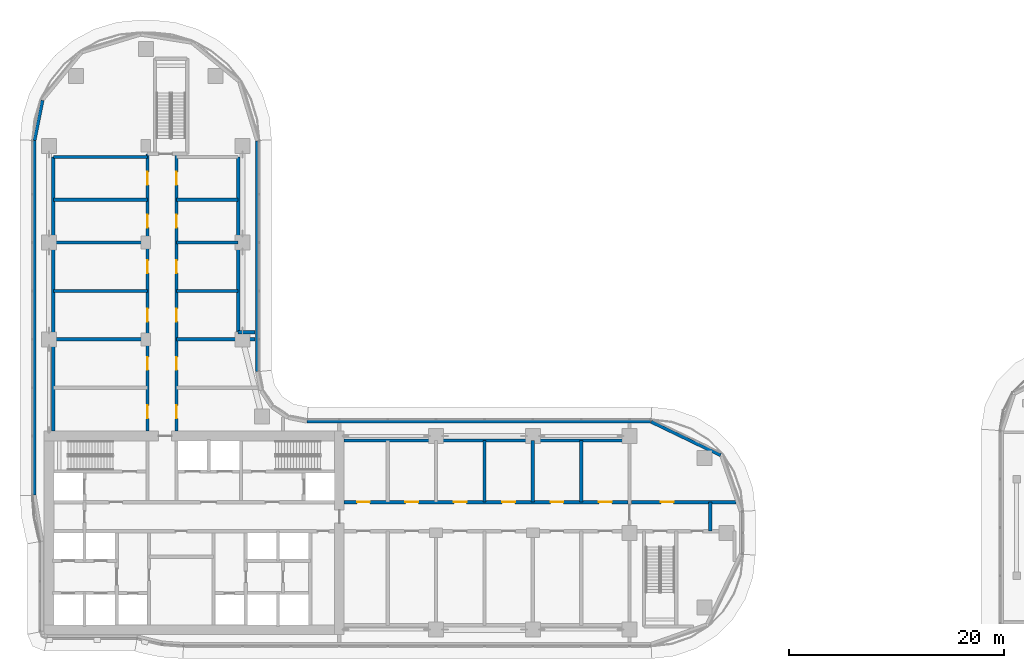
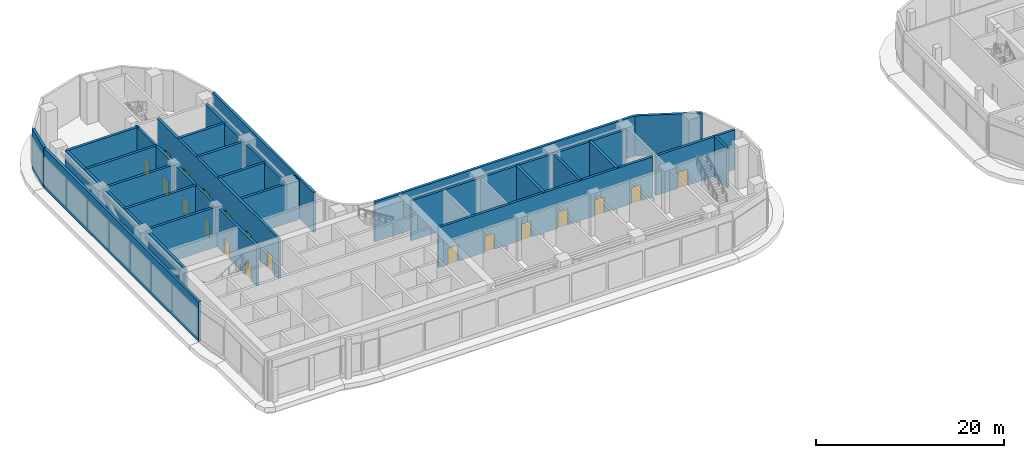
# One storey, part 5 of 23: 26 walls, 19 doors, 19 openings.
"""IFC4 building model written with IfcOpenShell, lengths in metres."""

from ifc_helpers import new_model, si_unit, direction, frame, frame_2d, origin, place, context, subcontext, project, spatial, rectangle, extrude, material, layer, layer_set, type_object, element, fill, save


model = new_model("IFC4")

# Units and contexts
model_context = context("Model", 3, precision=1e-05, world=origin(), true_north=direction((0.0, 1.0)))
body_context = subcontext(model_context, "Body", "Model", "MODEL_VIEW")
ifc_project = project(units=[si_unit("LENGTHUNIT", "METRE"), si_unit("AREAUNIT", "SQUARE_METRE"), si_unit("VOLUMEUNIT", "CUBIC_METRE"), si_unit("PLANEANGLEUNIT", "RADIAN"), si_unit("MASSUNIT", "GRAM", prefix="KILO")], contexts=[model_context])

# Site, building, storey
site_placement = place(None, origin())
site = spatial("IfcSite", under=ifc_project, at=site_placement, CompositionType="ELEMENT")
building_placement = place(site_placement, origin())
building = spatial("IfcBuilding", under=site, at=building_placement, Name="Ogive Portal Towers", CompositionType="ELEMENT")
storey_placement = place(building_placement, frame((0.0, 0.0, 81.60009765625)))
storey = spatial("IfcBuildingStorey", under=building, at=storey_placement, Name="L19", CompositionType="ELEMENT", Elevation=81.60009765625)

# Walls
ifc_material_1 = material(Name="Limestone cladding on lightweight block wall", Category="masonry")
ifc_layer_1 = layer(ifc_material_1, 0.300048828125)
ifc_layer_set_1 = layer_set([ifc_layer_1], Name="EXTERNAL WALL 300 STONE")
wall_type_1 = type_object("IfcWallType", Name="EXTERNAL WALL 300 STONE", PredefinedType="SOLIDWALL", material=ifc_layer_set_1)
wall_1_placement = place(storey_placement, frame((93.968505859375, 37.718505859375, 0.0), z_axis=(0.0, 0.0, 1.0), x_axis=(-0.90096968593, 0.433882040461, 0.0)))
element("IfcWall", 1, at=wall_1_placement, inside=storey, type_object=wall_type_1, Name="A:L19:f11:r0:wall", PredefinedType="SOLIDWALL", context=body_context, shape_type="SweptSolid", body=[
    extrude(rectangle(XDim=7.183349609375, YDim=0.300048828125, at=frame_2d((3.591796875, 0.0))), origin(), (0.0, 0.0, 1.0), 5.199951171875),
])
wall_2_placement = place(storey_placement, frame((87.431640625, 40.85009765625, 0.0), z_axis=(0.0, 0.0, 1.0), x_axis=(-1.0, 0.0, 0.0)))
element("IfcWall", 2, at=wall_2_placement, inside=storey, type_object=wall_type_1, Name="A:L19:f12:r0:wall", PredefinedType="SOLIDWALL", context=body_context, shape_type="SweptSolid", body=[
    extrude(rectangle(XDim=31.931640625, YDim=0.300048828125, at=frame_2d((15.9658203125, 0.0))), origin(), (0.0, 0.0, 1.0), 5.199951171875),
])
wall_3_placement = place(storey_placement, frame((50.85009765625, 45.5, 0.0), z_axis=(0.0, 0.0, 1.0), x_axis=(0.0, 1.0, 0.0)))
element("IfcWall", 3, at=wall_3_placement, inside=storey, type_object=wall_type_1, Name="A:L19:f17:r0:wall", PredefinedType="SOLIDWALL", context=body_context, shape_type="SweptSolid", body=[
    extrude(rectangle(XDim=21.45556640625, YDim=0.300048828125, at=frame_2d((10.727783203125, 0.0))), origin(), (0.0, 0.0, 1.0), 5.199951171875),
])
wall_4_placement = place(storey_placement, frame((30.8935546875, 70.723876953125, 0.0), z_axis=(0.0, 0.0, 1.0), x_axis=(-0.195077379777, -0.980787854686, 0.0)))
element("IfcWall", 4, at=wall_4_placement, inside=storey, type_object=wall_type_1, Name="A:L19:f23:r0:wall", PredefinedType="SOLIDWALL", context=body_context, shape_type="SweptSolid", body=[
    extrude(rectangle(XDim=3.797119140625, YDim=0.300048828125, at=frame_2d((1.8984375, 0.0))), origin(), (0.0, 0.0, 1.0), 5.199951171875),
])
wall_5_placement = place(storey_placement, frame((30.14990234375, 66.970458984375, 0.0), z_axis=(0.0, 0.0, 1.0), x_axis=(0.0, -1.0, 0.0)))
element("IfcWall", 5, at=wall_5_placement, inside=storey, type_object=wall_type_1, Name="A:L19:f24:r0:wall", PredefinedType="SOLIDWALL", context=body_context, shape_type="SweptSolid", body=[
    extrude(rectangle(XDim=32.9462890625, YDim=0.300048828125, at=frame_2d((16.47314453125, 0.0))), origin(), (0.0, 0.0, 1.0), 5.199951171875),
])

# Wall, openings, doors
ifc_material_2 = material(Name="Gypsum board partition on steel studs", Category="steel")
ifc_layer_2 = layer(ifc_material_2, 0.300048828125)
ifc_layer_set_2 = layer_set([ifc_layer_2], Name="WT-PART-300-EI 120")
wall_type_2 = type_object("IfcWallType", Name="WT-PART-300-EI 120", PredefinedType="PARTITIONING", material=ifc_layer_set_2)
wall_6_placement = place(storey_placement, frame((58.949951171875, 33.35009765625, 0.0), z_axis=(0.0, 0.0, 1.0), x_axis=(1.0, 0.0, 0.0)))
wall_6 = element("IfcWall", 6, at=wall_6_placement, inside=storey, type_object=wall_type_2, Name="Wall L19:w005", PredefinedType="PARTITIONING", context=body_context, shape_type="SweptSolid", body=[
    extrude(rectangle(XDim=26.380126953125, YDim=0.300048828125, at=frame_2d((13.18994140625, 0.0))), origin(), (0.0, 0.0, 1.0), 5.199951171875),
])
opening_1_placement = place(wall_6_placement, frame((1.199951171875, 0.0, 0.0)))
opening_1 = element("IfcOpeningElement", 7, at=opening_1_placement, cuts=wall_6, Name="Opening D06-025", PredefinedType="OPENING", context=body_context, shape_type="SweptSolid", body=[
    extrude(rectangle(XDim=1.199951171875, YDim=2.10009765625, at=frame_2d((0.60009765625, 1.050048828125))), frame((0.0, 0.16015625, 0.0), z_axis=(0.0, -1.0, 0.0), x_axis=(1.0, 0.0, 0.0)), (0.0, 0.0, 1.0), 0.320068359375),
])
opening_2_placement = place(wall_6_placement, frame((5.699951171875, 0.0, 0.0)))
opening_2 = element("IfcOpeningElement", 8, at=opening_2_placement, cuts=wall_6, Name="Opening D06-026", PredefinedType="OPENING", context=body_context, shape_type="SweptSolid", body=[
    extrude(rectangle(XDim=1.199951171875, YDim=2.10009765625, at=frame_2d((0.60009765625, 1.050048828125))), frame((0.0, 0.16015625, 0.0), z_axis=(0.0, -1.0, 0.0), x_axis=(1.0, 0.0, 0.0)), (0.0, 0.0, 1.0), 0.320068359375),
])
opening_3_placement = place(wall_6_placement, frame((10.199951171875, 0.0, 0.0)))
opening_3 = element("IfcOpeningElement", 9, at=opening_3_placement, cuts=wall_6, Name="Opening D06-029", PredefinedType="OPENING", context=body_context, shape_type="SweptSolid", body=[
    extrude(rectangle(XDim=1.199951171875, YDim=2.10009765625, at=frame_2d((0.60009765625, 1.050048828125))), frame((0.0, 0.16015625, 0.0), z_axis=(0.0, -1.0, 0.0), x_axis=(1.0, 0.0, 0.0)), (0.0, 0.0, 1.0), 0.320068359375),
])
opening_4_placement = place(wall_6_placement, frame((14.699951171875, 0.0, 0.0)))
opening_4 = element("IfcOpeningElement", 10, at=opening_4_placement, cuts=wall_6, Name="Opening D06-030", PredefinedType="OPENING", context=body_context, shape_type="SweptSolid", body=[
    extrude(rectangle(XDim=1.199951171875, YDim=2.10009765625, at=frame_2d((0.60009765625, 1.050048828125))), frame((0.0, 0.16015625, 0.0), z_axis=(0.0, -1.0, 0.0), x_axis=(1.0, 0.0, 0.0)), (0.0, 0.0, 1.0), 0.320068359375),
])
opening_5_placement = place(wall_6_placement, frame((19.199951171875, 0.0, 0.0)))
opening_5 = element("IfcOpeningElement", 11, at=opening_5_placement, cuts=wall_6, Name="Opening D06-033", PredefinedType="OPENING", context=body_context, shape_type="SweptSolid", body=[
    extrude(rectangle(XDim=1.199951171875, YDim=2.10009765625, at=frame_2d((0.60009765625, 1.050048828125))), frame((0.0, 0.16015625, 0.0), z_axis=(0.0, -1.0, 0.0), x_axis=(1.0, 0.0, 0.0)), (0.0, 0.0, 1.0), 0.320068359375),
])
opening_6_placement = place(wall_6_placement, frame((23.699951171875, 0.0, 0.0)))
opening_6 = element("IfcOpeningElement", 12, at=opening_6_placement, cuts=wall_6, Name="Opening D06-034", PredefinedType="OPENING", context=body_context, shape_type="SweptSolid", body=[
    extrude(rectangle(XDim=1.199951171875, YDim=2.10009765625, at=frame_2d((0.60009765625, 1.050048828125))), frame((0.0, 0.16015625, 0.0), z_axis=(0.0, -1.0, 0.0), x_axis=(1.0, 0.0, 0.0)), (0.0, 0.0, 1.0), 0.320068359375),
])
ifc_material_3 = material(Name="Steel fire door", Category="steel")
door_type_1 = type_object("IfcDoorType", Name="DT-ENTRY-1200x2100-FD90S", OperationType="SINGLE_SWING_LEFT", PredefinedType="DOOR", material=ifc_material_3)
door_1_placement = place(opening_1_placement, origin())
door_1 = element("IfcDoor", 13, at=door_1_placement, inside=storey, type_object=door_type_1, Name="Door D06-025", OperationType="SINGLE_SWING_LEFT", OverallHeight=2.10009765625, OverallWidth=1.199951171875, PredefinedType="DOOR", context=body_context, shape_type="SweptSolid", body=[
    extrude(rectangle(XDim=1.199951171875, YDim=2.10009765625, at=frame_2d((0.60009765625, 1.050048828125))), frame((0.0, 0.02490234375, 0.0), z_axis=(0.0, -1.0, 0.0), x_axis=(1.0, 0.0, 0.0)), (0.0, 0.0, 1.0), 0.050048828125),
])
fill(opening_1, door_1)
door_2_placement = place(opening_2_placement, origin())
door_2 = element("IfcDoor", 14, at=door_2_placement, inside=storey, type_object=door_type_1, Name="Door D06-026", OperationType="SINGLE_SWING_LEFT", OverallHeight=2.10009765625, OverallWidth=1.199951171875, PredefinedType="DOOR", context=body_context, shape_type="SweptSolid", body=[
    extrude(rectangle(XDim=1.199951171875, YDim=2.10009765625, at=frame_2d((0.60009765625, 1.050048828125))), frame((0.0, 0.02490234375, 0.0), z_axis=(0.0, -1.0, 0.0), x_axis=(1.0, 0.0, 0.0)), (0.0, 0.0, 1.0), 0.050048828125),
])
fill(opening_2, door_2)
door_3_placement = place(opening_3_placement, origin())
door_3 = element("IfcDoor", 15, at=door_3_placement, inside=storey, type_object=door_type_1, Name="Door D06-029", OperationType="SINGLE_SWING_LEFT", OverallHeight=2.10009765625, OverallWidth=1.199951171875, PredefinedType="DOOR", context=body_context, shape_type="SweptSolid", body=[
    extrude(rectangle(XDim=1.199951171875, YDim=2.10009765625, at=frame_2d((0.60009765625, 1.050048828125))), frame((0.0, 0.02490234375, 0.0), z_axis=(0.0, -1.0, 0.0), x_axis=(1.0, 0.0, 0.0)), (0.0, 0.0, 1.0), 0.050048828125),
])
fill(opening_3, door_3)
door_4_placement = place(opening_4_placement, origin())
door_4 = element("IfcDoor", 16, at=door_4_placement, inside=storey, type_object=door_type_1, Name="Door D06-030", OperationType="SINGLE_SWING_RIGHT", OverallHeight=2.10009765625, OverallWidth=1.199951171875, PredefinedType="DOOR", context=body_context, shape_type="SweptSolid", body=[
    extrude(rectangle(XDim=1.199951171875, YDim=2.10009765625, at=frame_2d((0.60009765625, 1.050048828125))), frame((0.0, 0.02490234375, 0.0), z_axis=(0.0, -1.0, 0.0), x_axis=(1.0, 0.0, 0.0)), (0.0, 0.0, 1.0), 0.050048828125),
])
fill(opening_4, door_4)
door_5_placement = place(opening_5_placement, origin())
door_5 = element("IfcDoor", 17, at=door_5_placement, inside=storey, type_object=door_type_1, Name="Door D06-033", OperationType="SINGLE_SWING_RIGHT", OverallHeight=2.10009765625, OverallWidth=1.199951171875, PredefinedType="DOOR", context=body_context, shape_type="SweptSolid", body=[
    extrude(rectangle(XDim=1.199951171875, YDim=2.10009765625, at=frame_2d((0.60009765625, 1.050048828125))), frame((0.0, 0.02490234375, 0.0), z_axis=(0.0, -1.0, 0.0), x_axis=(1.0, 0.0, 0.0)), (0.0, 0.0, 1.0), 0.050048828125),
])
fill(opening_5, door_5)
door_6_placement = place(opening_6_placement, origin())
door_6 = element("IfcDoor", 18, at=door_6_placement, inside=storey, type_object=door_type_1, Name="Door D06-034", OperationType="SINGLE_SWING_LEFT", OverallHeight=2.10009765625, OverallWidth=1.199951171875, PredefinedType="DOOR", context=body_context, shape_type="SweptSolid", body=[
    extrude(rectangle(XDim=1.199951171875, YDim=2.10009765625, at=frame_2d((0.60009765625, 1.050048828125))), frame((0.0, 0.02490234375, 0.0), z_axis=(0.0, -1.0, 0.0), x_axis=(1.0, 0.0, 0.0)), (0.0, 0.0, 1.0), 0.050048828125),
])
fill(opening_6, door_6)

# Wall, opening, door
wall_7_placement = place(storey_placement, frame((85.669921875, 33.35009765625, 0.0), z_axis=(0.0, 0.0, 1.0), x_axis=(1.0, 0.0, 0.0)))
wall_7 = element("IfcWall", 19, at=wall_7_placement, inside=storey, type_object=wall_type_2, Name="Wall L19:w006", PredefinedType="PARTITIONING", context=body_context, shape_type="SweptSolid", body=[
    extrude(rectangle(XDim=9.705078125, YDim=0.300048828125, at=frame_2d((4.8525390625, 0.0))), origin(), (0.0, 0.0, 1.0), 5.14990234375),
])
opening_7_placement = place(wall_7_placement, frame((2.72998046875, 0.0, 0.0)))
opening_7 = element("IfcOpeningElement", 20, at=opening_7_placement, cuts=wall_7, Name="Opening D06-050", PredefinedType="OPENING", context=body_context, shape_type="SweptSolid", body=[
    extrude(rectangle(XDim=1.199951171875, YDim=2.10009765625, at=frame_2d((0.60009765625, 1.050048828125))), frame((0.0, 0.16015625, 0.0), z_axis=(0.0, -1.0, 0.0), x_axis=(1.0, 0.0, 0.0)), (0.0, 0.0, 1.0), 0.320068359375),
])
door_type_2 = type_object("IfcDoorType", Name="DT-STAIR-1200x2100-FD90S", OperationType="SINGLE_SWING_LEFT", PredefinedType="DOOR", material=ifc_material_3)
door_7_placement = place(opening_7_placement, origin())
door_7 = element("IfcDoor", 21, at=door_7_placement, inside=storey, type_object=door_type_2, Name="Door D06-050", OperationType="SINGLE_SWING_LEFT", OverallHeight=2.10009765625, OverallWidth=1.199951171875, PredefinedType="DOOR", context=body_context, shape_type="SweptSolid", body=[
    extrude(rectangle(XDim=1.199951171875, YDim=2.10009765625, at=frame_2d((0.60009765625, 1.050048828125))), frame((0.0, 0.02490234375, 0.0), z_axis=(0.0, -1.0, 0.0), x_axis=(1.0, 0.0, 0.0)), (0.0, 0.0, 1.0), 0.050048828125),
])
fill(opening_7, door_7)

# Walls
wall_8_placement = place(storey_placement, frame((93.0, 30.64990234375, 0.0), z_axis=(0.0, 0.0, 1.0), x_axis=(0.0, 1.0, 0.0)))
element("IfcWall", 22, at=wall_8_placement, inside=storey, type_object=wall_type_2, Name="Wall L19:w042", PredefinedType="PARTITIONING", context=body_context, shape_type="SweptSolid", body=[
    extrude(rectangle(XDim=2.7001953125, YDim=0.300048828125, at=frame_2d((1.35009765625, 0.0))), origin(), (0.0, 0.0, 1.0), 5.199951171875),
])
ifc_layer_3 = layer(ifc_material_2, 0.300048828125)
ifc_layer_set_3 = layer_set([ifc_layer_3], Name="WT-PART-300-EI 60")
wall_type_3 = type_object("IfcWallType", Name="WT-PART-300-EI 60", PredefinedType="PARTITIONING", material=ifc_layer_set_3)
wall_9_placement = place(storey_placement, frame((58.949951171875, 39.10009765625, 0.0), z_axis=(0.0, 0.0, 1.0), x_axis=(1.0, 0.0, 0.0)))
element("IfcWall", 23, at=wall_9_placement, inside=storey, type_object=wall_type_3, Name="Wall L19:w007", PredefinedType="PARTITIONING", context=body_context, shape_type="SweptSolid", body=[
    extrude(rectangle(XDim=26.380126953125, YDim=0.300048828125, at=frame_2d((13.18994140625, 0.0))), origin(), (0.0, 0.0, 1.0), 5.199951171875),
])
wall_10_placement = place(storey_placement, frame((31.89990234375, 48.5, 0.0), z_axis=(0.0, 0.0, 1.0), x_axis=(1.0, 0.0, 0.0)))
element("IfcWall", 24, at=wall_10_placement, inside=storey, type_object=wall_type_3, Name="Wall L19:w010", PredefinedType="PARTITIONING", context=body_context, shape_type="SweptSolid", body=[
    extrude(rectangle(XDim=8.75, YDim=0.300048828125, at=frame_2d((4.375, 0.0))), origin(), (0.0, 0.0, 1.0), 5.199951171875),
])
wall_11_placement = place(storey_placement, frame((43.35009765625, 48.5, 0.0), z_axis=(0.0, 0.0, 1.0), x_axis=(1.0, 0.0, 0.0)))
element("IfcWall", 25, at=wall_11_placement, inside=storey, type_object=wall_type_3, Name="Wall L19:w011", PredefinedType="PARTITIONING", context=body_context, shape_type="SweptSolid", body=[
    extrude(rectangle(XDim=7.2998046875, YDim=0.300048828125, at=frame_2d((3.64990234375, 0.0))), origin(), (0.0, 0.0, 1.0), 5.14990234375),
])
wall_12_placement = place(storey_placement, frame((49.10009765625, 49.14990234375, 0.0), z_axis=(0.0, 0.0, 1.0), x_axis=(1.0, 0.0, 0.0)))
element("IfcWall", 26, at=wall_12_placement, inside=storey, type_object=wall_type_3, Name="Wall L19:w012", PredefinedType="PARTITIONING", context=body_context, shape_type="SweptSolid", body=[
    extrude(rectangle(XDim=1.5498046875, YDim=0.300048828125, at=frame_2d((0.77490234375, 0.0))), origin(), (0.0, 0.0, 1.0), 5.14990234375),
])
wall_13_placement = place(storey_placement, frame((31.89990234375, 53.0, 0.0), z_axis=(0.0, 0.0, 1.0), x_axis=(1.0, 0.0, 0.0)))
element("IfcWall", 27, at=wall_13_placement, inside=storey, type_object=wall_type_3, Name="Wall L19:w013", PredefinedType="PARTITIONING", context=body_context, shape_type="SweptSolid", body=[
    extrude(rectangle(XDim=8.75, YDim=0.300048828125, at=frame_2d((4.375, 0.0))), origin(), (0.0, 0.0, 1.0), 5.199951171875),
])
wall_14_placement = place(storey_placement, frame((43.35009765625, 53.0, 0.0), z_axis=(0.0, 0.0, 1.0), x_axis=(1.0, 0.0, 0.0)))
element("IfcWall", 28, at=wall_14_placement, inside=storey, type_object=wall_type_3, Name="Wall L19:w014", PredefinedType="PARTITIONING", context=body_context, shape_type="SweptSolid", body=[
    extrude(rectangle(XDim=5.75, YDim=0.300048828125, at=frame_2d((2.875, 0.0))), origin(), (0.0, 0.0, 1.0), 5.199951171875),
])
wall_15_placement = place(storey_placement, frame((31.89990234375, 57.5, 0.0), z_axis=(0.0, 0.0, 1.0), x_axis=(1.0, 0.0, 0.0)))
element("IfcWall", 29, at=wall_15_placement, inside=storey, type_object=wall_type_3, Name="Wall L19:w015", PredefinedType="PARTITIONING", context=body_context, shape_type="SweptSolid", body=[
    extrude(rectangle(XDim=8.75, YDim=0.300048828125, at=frame_2d((4.375, 0.0))), origin(), (0.0, 0.0, 1.0), 5.199951171875),
])
wall_16_placement = place(storey_placement, frame((43.35009765625, 57.5, 0.0), z_axis=(0.0, 0.0, 1.0), x_axis=(1.0, 0.0, 0.0)))
element("IfcWall", 30, at=wall_16_placement, inside=storey, type_object=wall_type_3, Name="Wall L19:w016", PredefinedType="PARTITIONING", context=body_context, shape_type="SweptSolid", body=[
    extrude(rectangle(XDim=5.75, YDim=0.300048828125, at=frame_2d((2.875, 0.0))), origin(), (0.0, 0.0, 1.0), 5.199951171875),
])
wall_17_placement = place(storey_placement, frame((31.89990234375, 61.47509765625, 0.0), z_axis=(0.0, 0.0, 1.0), x_axis=(1.0, 0.0, 0.0)))
element("IfcWall", 31, at=wall_17_placement, inside=storey, type_object=wall_type_3, Name="Wall L19:w017", PredefinedType="PARTITIONING", context=body_context, shape_type="SweptSolid", body=[
    extrude(rectangle(XDim=8.75, YDim=0.300048828125, at=frame_2d((4.375, 0.0))), origin(), (0.0, 0.0, 1.0), 5.199951171875),
])
wall_18_placement = place(storey_placement, frame((43.35009765625, 61.47509765625, 0.0), z_axis=(0.0, 0.0, 1.0), x_axis=(1.0, 0.0, 0.0)))
element("IfcWall", 32, at=wall_18_placement, inside=storey, type_object=wall_type_3, Name="Wall L19:w018", PredefinedType="PARTITIONING", context=body_context, shape_type="SweptSolid", body=[
    extrude(rectangle(XDim=5.75, YDim=0.300048828125, at=frame_2d((2.875, 0.0))), origin(), (0.0, 0.0, 1.0), 5.199951171875),
])
wall_19_placement = place(storey_placement, frame((31.89990234375, 65.449951171875, 0.0), z_axis=(0.0, 0.0, 1.0), x_axis=(1.0, 0.0, 0.0)))
element("IfcWall", 33, at=wall_19_placement, inside=storey, type_object=wall_type_3, Name="Wall L19:w019", PredefinedType="PARTITIONING", context=body_context, shape_type="SweptSolid", body=[
    extrude(rectangle(XDim=8.75, YDim=0.300048828125, at=frame_2d((4.375, 0.0))), origin(), (0.0, 0.0, 1.0), 5.199951171875),
])
wall_20_placement = place(storey_placement, frame((31.89990234375, 39.949951171875, 0.0), z_axis=(0.0, 0.0, 1.0), x_axis=(0.0, 1.0, 0.0)))
element("IfcWall", 34, at=wall_20_placement, inside=storey, type_object=wall_type_3, Name="Wall L19:w023", PredefinedType="PARTITIONING", context=body_context, shape_type="SweptSolid", body=[
    extrude(rectangle(XDim=25.5, YDim=0.300048828125, at=frame_2d((12.75, 0.0))), origin(), (0.0, 0.0, 1.0), 5.199951171875),
])

# Wall, openings, doors
wall_21_placement = place(storey_placement, frame((40.64990234375, 39.949951171875, 0.0), z_axis=(0.0, 0.0, 1.0), x_axis=(0.0, 1.0, 0.0)))
wall_21 = element("IfcWall", 35, at=wall_21_placement, inside=storey, type_object=wall_type_3, Name="Wall L19:w024", PredefinedType="PARTITIONING", context=body_context, shape_type="SweptSolid", body=[
    extrude(rectangle(XDim=25.800048828125, YDim=0.300048828125, at=frame_2d((12.89990234375, 0.0))), origin(), (0.0, 0.0, 1.0), 5.199951171875),
])
opening_8_placement = place(wall_21_placement, frame((1.199951171875, 0.0, 0.0)))
opening_8 = element("IfcOpeningElement", 36, at=opening_8_placement, cuts=wall_21, Name="Opening D06-039", PredefinedType="OPENING", context=body_context, shape_type="SweptSolid", body=[
    extrude(rectangle(XDim=1.199951171875, YDim=2.10009765625, at=frame_2d((0.60009765625, 1.050048828125))), frame((0.0, 0.16015625, 0.0), z_axis=(0.0, -1.0, 0.0), x_axis=(1.0, 0.0, 0.0)), (0.0, 0.0, 1.0), 0.320068359375),
])
opening_9_placement = place(wall_21_placement, frame((5.699951171875, 0.0, 0.0)))
opening_9 = element("IfcOpeningElement", 37, at=opening_9_placement, cuts=wall_21, Name="Opening D06-040", PredefinedType="OPENING", context=body_context, shape_type="SweptSolid", body=[
    extrude(rectangle(XDim=1.199951171875, YDim=2.10009765625, at=frame_2d((0.60009765625, 1.050048828125))), frame((0.0, 0.16015625, 0.0), z_axis=(0.0, -1.0, 0.0), x_axis=(1.0, 0.0, 0.0)), (0.0, 0.0, 1.0), 0.320068359375),
])
opening_10_placement = place(wall_21_placement, frame((10.199951171875, 0.0, 0.0)))
opening_10 = element("IfcOpeningElement", 38, at=opening_10_placement, cuts=wall_21, Name="Opening D06-043", PredefinedType="OPENING", context=body_context, shape_type="SweptSolid", body=[
    extrude(rectangle(XDim=1.199951171875, YDim=2.10009765625, at=frame_2d((0.60009765625, 1.050048828125))), frame((0.0, 0.16015625, 0.0), z_axis=(0.0, -1.0, 0.0), x_axis=(1.0, 0.0, 0.0)), (0.0, 0.0, 1.0), 0.320068359375),
])
opening_11_placement = place(wall_21_placement, frame((14.699951171875, 0.0, 0.0)))
opening_11 = element("IfcOpeningElement", 39, at=opening_11_placement, cuts=wall_21, Name="Opening D06-044", PredefinedType="OPENING", context=body_context, shape_type="SweptSolid", body=[
    extrude(rectangle(XDim=1.199951171875, YDim=2.10009765625, at=frame_2d((0.60009765625, 1.050048828125))), frame((0.0, 0.16015625, 0.0), z_axis=(0.0, -1.0, 0.0), x_axis=(1.0, 0.0, 0.0)), (0.0, 0.0, 1.0), 0.320068359375),
])
opening_12_placement = place(wall_21_placement, frame((18.93701171875, 0.0, 0.0)))
opening_12 = element("IfcOpeningElement", 40, at=opening_12_placement, cuts=wall_21, Name="Opening D06-047", PredefinedType="OPENING", context=body_context, shape_type="SweptSolid", body=[
    extrude(rectangle(XDim=1.199951171875, YDim=2.10009765625, at=frame_2d((0.60009765625, 1.050048828125))), frame((0.0, 0.16015625, 0.0), z_axis=(0.0, -1.0, 0.0), x_axis=(1.0, 0.0, 0.0)), (0.0, 0.0, 1.0), 0.320068359375),
])
opening_13_placement = place(wall_21_placement, frame((22.9130859375, 0.0, 0.0)))
opening_13 = element("IfcOpeningElement", 41, at=opening_13_placement, cuts=wall_21, Name="Opening D06-048", PredefinedType="OPENING", context=body_context, shape_type="SweptSolid", body=[
    extrude(rectangle(XDim=1.199951171875, YDim=2.10009765625, at=frame_2d((0.60009765625, 1.050048828125))), frame((0.0, 0.16015625, 0.0), z_axis=(0.0, -1.0, 0.0), x_axis=(1.0, 0.0, 0.0)), (0.0, 0.0, 1.0), 0.320068359375),
])
door_type_3 = type_object("IfcDoorType", Name="DT-ENTRY-1200x2100-FD60S", OperationType="SINGLE_SWING_LEFT", PredefinedType="DOOR", material=ifc_material_3)
door_8_placement = place(opening_8_placement, origin())
door_8 = element("IfcDoor", 42, at=door_8_placement, inside=storey, type_object=door_type_3, Name="Door D06-039", OperationType="SINGLE_SWING_RIGHT", OverallHeight=2.10009765625, OverallWidth=1.199951171875, PredefinedType="DOOR", context=body_context, shape_type="SweptSolid", body=[
    extrude(rectangle(XDim=1.199951171875, YDim=2.10009765625, at=frame_2d((0.60009765625, 1.050048828125))), frame((0.0, 0.02490234375, 0.0), z_axis=(0.0, -1.0, 0.0), x_axis=(1.0, 0.0, 0.0)), (0.0, 0.0, 1.0), 0.050048828125),
])
fill(opening_8, door_8)
door_9_placement = place(opening_9_placement, origin())
door_9 = element("IfcDoor", 43, at=door_9_placement, inside=storey, type_object=door_type_3, Name="Door D06-040", OperationType="SINGLE_SWING_LEFT", OverallHeight=2.10009765625, OverallWidth=1.199951171875, PredefinedType="DOOR", context=body_context, shape_type="SweptSolid", body=[
    extrude(rectangle(XDim=1.199951171875, YDim=2.10009765625, at=frame_2d((0.60009765625, 1.050048828125))), frame((0.0, 0.02490234375, 0.0), z_axis=(0.0, -1.0, 0.0), x_axis=(1.0, 0.0, 0.0)), (0.0, 0.0, 1.0), 0.050048828125),
])
fill(opening_9, door_9)
door_10_placement = place(opening_10_placement, origin())
door_10 = element("IfcDoor", 44, at=door_10_placement, inside=storey, type_object=door_type_3, Name="Door D06-043", OperationType="SINGLE_SWING_LEFT", OverallHeight=2.10009765625, OverallWidth=1.199951171875, PredefinedType="DOOR", context=body_context, shape_type="SweptSolid", body=[
    extrude(rectangle(XDim=1.199951171875, YDim=2.10009765625, at=frame_2d((0.60009765625, 1.050048828125))), frame((0.0, 0.02490234375, 0.0), z_axis=(0.0, -1.0, 0.0), x_axis=(1.0, 0.0, 0.0)), (0.0, 0.0, 1.0), 0.050048828125),
])
fill(opening_10, door_10)
door_11_placement = place(opening_11_placement, origin())
door_11 = element("IfcDoor", 45, at=door_11_placement, inside=storey, type_object=door_type_3, Name="Door D06-044", OperationType="SINGLE_SWING_LEFT", OverallHeight=2.10009765625, OverallWidth=1.199951171875, PredefinedType="DOOR", context=body_context, shape_type="SweptSolid", body=[
    extrude(rectangle(XDim=1.199951171875, YDim=2.10009765625, at=frame_2d((0.60009765625, 1.050048828125))), frame((0.0, 0.02490234375, 0.0), z_axis=(0.0, -1.0, 0.0), x_axis=(1.0, 0.0, 0.0)), (0.0, 0.0, 1.0), 0.050048828125),
])
fill(opening_11, door_11)
door_12_placement = place(opening_12_placement, origin())
door_12 = element("IfcDoor", 46, at=door_12_placement, inside=storey, type_object=door_type_3, Name="Door D06-047", OperationType="SINGLE_SWING_LEFT", OverallHeight=2.10009765625, OverallWidth=1.199951171875, PredefinedType="DOOR", context=body_context, shape_type="SweptSolid", body=[
    extrude(rectangle(XDim=1.199951171875, YDim=2.10009765625, at=frame_2d((0.60009765625, 1.050048828125))), frame((0.0, 0.02490234375, 0.0), z_axis=(0.0, -1.0, 0.0), x_axis=(1.0, 0.0, 0.0)), (0.0, 0.0, 1.0), 0.050048828125),
])
fill(opening_12, door_12)
door_13_placement = place(opening_13_placement, origin())
door_13 = element("IfcDoor", 47, at=door_13_placement, inside=storey, type_object=door_type_3, Name="Door D06-048", OperationType="SINGLE_SWING_RIGHT", OverallHeight=2.10009765625, OverallWidth=1.199951171875, PredefinedType="DOOR", context=body_context, shape_type="SweptSolid", body=[
    extrude(rectangle(XDim=1.199951171875, YDim=2.10009765625, at=frame_2d((0.60009765625, 1.050048828125))), frame((0.0, 0.02490234375, 0.0), z_axis=(0.0, -1.0, 0.0), x_axis=(1.0, 0.0, 0.0)), (0.0, 0.0, 1.0), 0.050048828125),
])
fill(opening_13, door_13)

# Walls
wall_22_placement = place(storey_placement, frame((49.10009765625, 49.14990234375, 0.0), z_axis=(0.0, 0.0, 1.0), x_axis=(0.0, 1.0, 0.0)))
element("IfcWall", 48, at=wall_22_placement, inside=storey, type_object=wall_type_3, Name="Wall L19:w028", PredefinedType="PARTITIONING", context=body_context, shape_type="SweptSolid", body=[
    extrude(rectangle(XDim=16.300048828125, YDim=0.300048828125, at=frame_2d((8.14990234375, 0.0))), origin(), (0.0, 0.0, 1.0), 5.199951171875),
])
for number, where, z_axis, x_axis, name in (
    (49, (72.0, 33.35009765625, 0.0), (0.0, 0.0, 1.0), (0.0, 1.0, 0.0), "Wall L19:w035"),
    (50, (76.5, 33.35009765625, 0.0), (0.0, 0.0, 1.0), (0.0, 1.0, 0.0), "Wall L19:w037"),
    (51, (81.0, 33.35009765625, 0.0), (0.0, 0.0, 1.0), (0.0, 1.0, 0.0), "Wall L19:w039"),
):
    element("IfcWall", number, at=place(storey_placement, frame(where, z_axis=z_axis, x_axis=x_axis)), inside=storey, type_object=wall_type_3, Name=name, PredefinedType="PARTITIONING", context=body_context, shape_type="SweptSolid", body=[
        extrude(rectangle(XDim=5.75, YDim=0.300048828125, at=frame_2d((2.875, 0.0))), origin(), (0.0, 0.0, 1.0), 5.199951171875),
    ])

# Wall, openings, doors
ifc_material_4 = material(Name="Concrete C40/50", Category="concrete")
ifc_layer_4 = layer(ifc_material_4, 0.300048828125)
ifc_layer_set_4 = layer_set([ifc_layer_4], Name="WT-SHAFT-300")
wall_type_4 = type_object("IfcWallType", Name="WT-SHAFT-300", PredefinedType="SOLIDWALL", material=ifc_layer_set_4)
wall_23_placement = place(storey_placement, frame((43.35009765625, 39.949951171875, 0.0), z_axis=(0.0, 0.0, 1.0), x_axis=(0.0, 1.0, 0.0)))
wall_23 = element("IfcWall", 52, at=wall_23_placement, inside=storey, type_object=wall_type_4, Name="Wall L19:w026", PredefinedType="SOLIDWALL", context=body_context, shape_type="SweptSolid", body=[
    extrude(rectangle(XDim=25.800048828125, YDim=0.300048828125, at=frame_2d((12.89990234375, 0.0))), origin(), (0.0, 0.0, 1.0), 5.199951171875),
])
opening_14_placement = place(wall_23_placement, frame((1.199951171875, 0.0, 0.0)))
opening_14 = element("IfcOpeningElement", 53, at=opening_14_placement, cuts=wall_23, Name="Opening D06-037", PredefinedType="OPENING", context=body_context, shape_type="SweptSolid", body=[
    extrude(rectangle(XDim=1.199951171875, YDim=2.10009765625, at=frame_2d((0.60009765625, 1.050048828125))), frame((0.0, 0.16015625, 0.0), z_axis=(0.0, -1.0, 0.0), x_axis=(1.0, 0.0, 0.0)), (0.0, 0.0, 1.0), 0.320068359375),
])
opening_15_placement = place(wall_23_placement, frame((5.699951171875, 0.0, 0.0)))
opening_15 = element("IfcOpeningElement", 54, at=opening_15_placement, cuts=wall_23, Name="Opening D06-038", PredefinedType="OPENING", context=body_context, shape_type="SweptSolid", body=[
    extrude(rectangle(XDim=1.199951171875, YDim=2.10009765625, at=frame_2d((0.60009765625, 1.050048828125))), frame((0.0, 0.16015625, 0.0), z_axis=(0.0, -1.0, 0.0), x_axis=(1.0, 0.0, 0.0)), (0.0, 0.0, 1.0), 0.320068359375),
])
opening_16_placement = place(wall_23_placement, frame((10.199951171875, 0.0, 0.0)))
opening_16 = element("IfcOpeningElement", 55, at=opening_16_placement, cuts=wall_23, Name="Opening D06-041", PredefinedType="OPENING", context=body_context, shape_type="SweptSolid", body=[
    extrude(rectangle(XDim=1.199951171875, YDim=2.10009765625, at=frame_2d((0.60009765625, 1.050048828125))), frame((0.0, 0.16015625, 0.0), z_axis=(0.0, -1.0, 0.0), x_axis=(1.0, 0.0, 0.0)), (0.0, 0.0, 1.0), 0.320068359375),
])
opening_17_placement = place(wall_23_placement, frame((14.699951171875, 0.0, 0.0)))
opening_17 = element("IfcOpeningElement", 56, at=opening_17_placement, cuts=wall_23, Name="Opening D06-042", PredefinedType="OPENING", context=body_context, shape_type="SweptSolid", body=[
    extrude(rectangle(XDim=1.199951171875, YDim=2.10009765625, at=frame_2d((0.60009765625, 1.050048828125))), frame((0.0, 0.16015625, 0.0), z_axis=(0.0, -1.0, 0.0), x_axis=(1.0, 0.0, 0.0)), (0.0, 0.0, 1.0), 0.320068359375),
])
opening_18_placement = place(wall_23_placement, frame((18.93701171875, 0.0, 0.0)))
opening_18 = element("IfcOpeningElement", 57, at=opening_18_placement, cuts=wall_23, Name="Opening D06-045", PredefinedType="OPENING", context=body_context, shape_type="SweptSolid", body=[
    extrude(rectangle(XDim=1.199951171875, YDim=2.10009765625, at=frame_2d((0.60009765625, 1.050048828125))), frame((0.0, 0.16015625, 0.0), z_axis=(0.0, -1.0, 0.0), x_axis=(1.0, 0.0, 0.0)), (0.0, 0.0, 1.0), 0.320068359375),
])
opening_19_placement = place(wall_23_placement, frame((22.9130859375, 0.0, 0.0)))
opening_19 = element("IfcOpeningElement", 58, at=opening_19_placement, cuts=wall_23, Name="Opening D06-046", PredefinedType="OPENING", context=body_context, shape_type="SweptSolid", body=[
    extrude(rectangle(XDim=1.199951171875, YDim=2.10009765625, at=frame_2d((0.60009765625, 1.050048828125))), frame((0.0, 0.16015625, 0.0), z_axis=(0.0, -1.0, 0.0), x_axis=(1.0, 0.0, 0.0)), (0.0, 0.0, 1.0), 0.320068359375),
])
door_14_placement = place(opening_14_placement, origin())
door_14 = element("IfcDoor", 59, at=door_14_placement, inside=storey, type_object=door_type_1, Name="Door D06-037", OperationType="SINGLE_SWING_LEFT", OverallHeight=2.10009765625, OverallWidth=1.199951171875, PredefinedType="DOOR", context=body_context, shape_type="SweptSolid", body=[
    extrude(rectangle(XDim=1.199951171875, YDim=2.10009765625, at=frame_2d((0.60009765625, 1.050048828125))), frame((0.0, 0.02490234375, 0.0), z_axis=(0.0, -1.0, 0.0), x_axis=(1.0, 0.0, 0.0)), (0.0, 0.0, 1.0), 0.050048828125),
])
fill(opening_14, door_14)
door_15_placement = place(opening_15_placement, origin())
door_15 = element("IfcDoor", 60, at=door_15_placement, inside=storey, type_object=door_type_1, Name="Door D06-038", OperationType="SINGLE_SWING_LEFT", OverallHeight=2.10009765625, OverallWidth=1.199951171875, PredefinedType="DOOR", context=body_context, shape_type="SweptSolid", body=[
    extrude(rectangle(XDim=1.199951171875, YDim=2.10009765625, at=frame_2d((0.60009765625, 1.050048828125))), frame((0.0, 0.02490234375, 0.0), z_axis=(0.0, -1.0, 0.0), x_axis=(1.0, 0.0, 0.0)), (0.0, 0.0, 1.0), 0.050048828125),
])
fill(opening_15, door_15)
door_16_placement = place(opening_16_placement, origin())
door_16 = element("IfcDoor", 61, at=door_16_placement, inside=storey, type_object=door_type_1, Name="Door D06-041", OperationType="SINGLE_SWING_LEFT", OverallHeight=2.10009765625, OverallWidth=1.199951171875, PredefinedType="DOOR", context=body_context, shape_type="SweptSolid", body=[
    extrude(rectangle(XDim=1.199951171875, YDim=2.10009765625, at=frame_2d((0.60009765625, 1.050048828125))), frame((0.0, 0.02490234375, 0.0), z_axis=(0.0, -1.0, 0.0), x_axis=(1.0, 0.0, 0.0)), (0.0, 0.0, 1.0), 0.050048828125),
])
fill(opening_16, door_16)
door_17_placement = place(opening_17_placement, origin())
door_17 = element("IfcDoor", 62, at=door_17_placement, inside=storey, type_object=door_type_1, Name="Door D06-042", OperationType="SINGLE_SWING_RIGHT", OverallHeight=2.10009765625, OverallWidth=1.199951171875, PredefinedType="DOOR", context=body_context, shape_type="SweptSolid", body=[
    extrude(rectangle(XDim=1.199951171875, YDim=2.10009765625, at=frame_2d((0.60009765625, 1.050048828125))), frame((0.0, 0.02490234375, 0.0), z_axis=(0.0, -1.0, 0.0), x_axis=(1.0, 0.0, 0.0)), (0.0, 0.0, 1.0), 0.050048828125),
])
fill(opening_17, door_17)
door_18_placement = place(opening_18_placement, origin())
door_18 = element("IfcDoor", 63, at=door_18_placement, inside=storey, type_object=door_type_1, Name="Door D06-045", OperationType="SINGLE_SWING_RIGHT", OverallHeight=2.10009765625, OverallWidth=1.199951171875, PredefinedType="DOOR", context=body_context, shape_type="SweptSolid", body=[
    extrude(rectangle(XDim=1.199951171875, YDim=2.10009765625, at=frame_2d((0.60009765625, 1.050048828125))), frame((0.0, 0.02490234375, 0.0), z_axis=(0.0, -1.0, 0.0), x_axis=(1.0, 0.0, 0.0)), (0.0, 0.0, 1.0), 0.050048828125),
])
fill(opening_18, door_18)
door_19_placement = place(opening_19_placement, origin())
door_19 = element("IfcDoor", 64, at=door_19_placement, inside=storey, type_object=door_type_1, Name="Door D06-046", OperationType="SINGLE_SWING_LEFT", OverallHeight=2.10009765625, OverallWidth=1.199951171875, PredefinedType="DOOR", context=body_context, shape_type="SweptSolid", body=[
    extrude(rectangle(XDim=1.199951171875, YDim=2.10009765625, at=frame_2d((0.60009765625, 1.050048828125))), frame((0.0, 0.02490234375, 0.0), z_axis=(0.0, -1.0, 0.0), x_axis=(1.0, 0.0, 0.0)), (0.0, 0.0, 1.0), 0.050048828125),
])
fill(opening_19, door_19)

save(model, "model.ifc")
